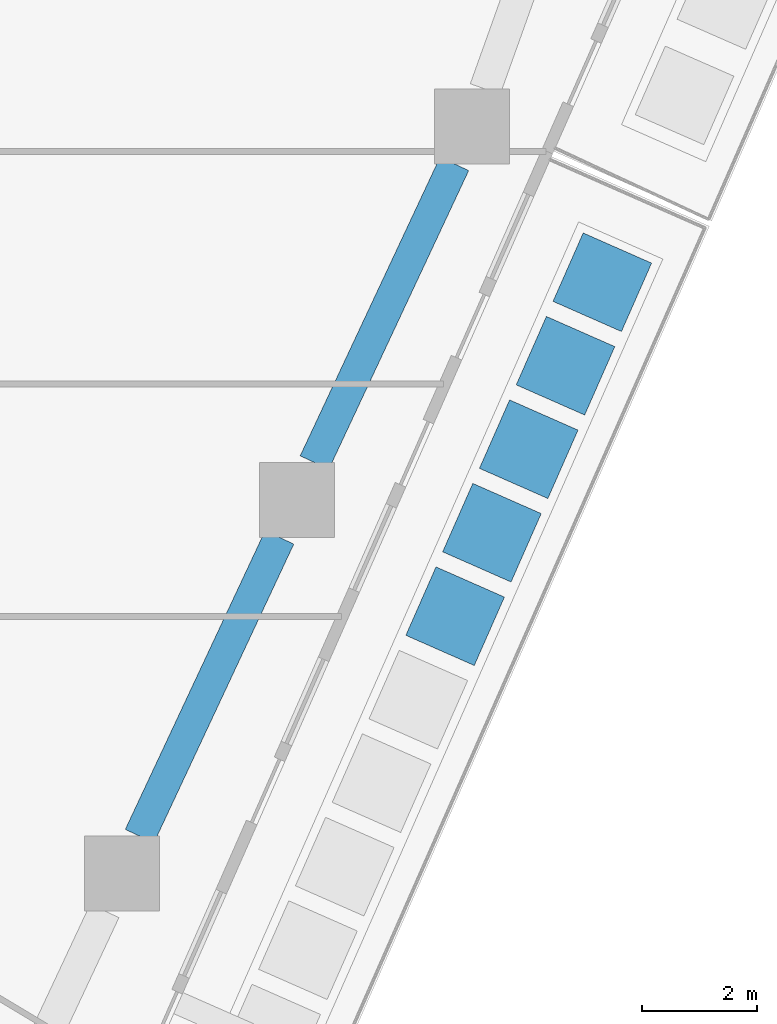
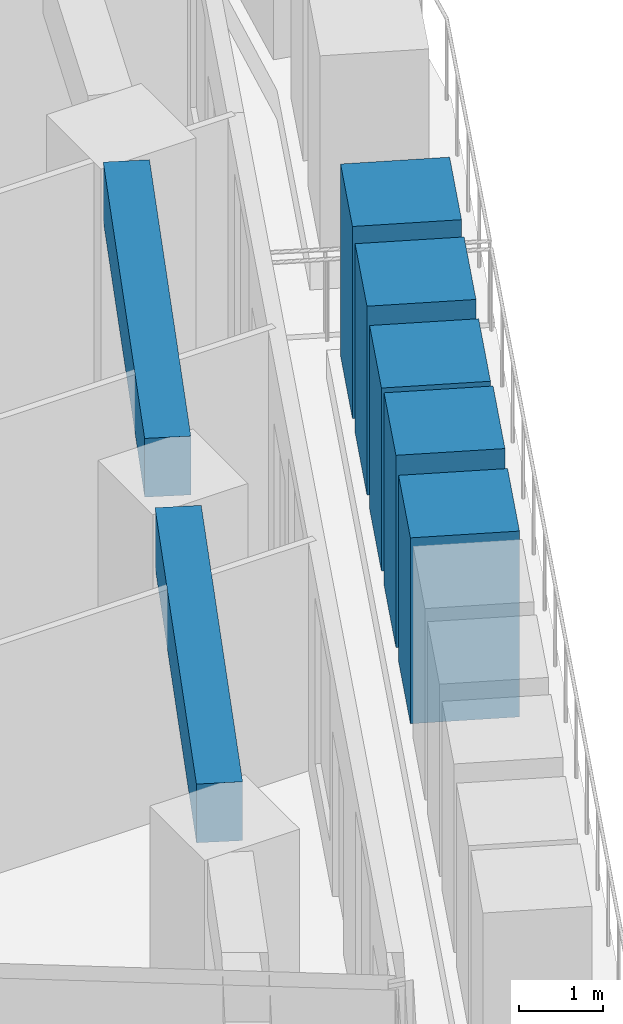
# One storey, part 5 of 24: 5 members, 2 beams.
"""IFC4 building model written with IfcOpenShell, lengths in metres."""

from ifc_helpers import new_model, si_unit, direction, frame, origin, origin_2d, place, context, subcontext, project, spatial, rectangle, extrude, material, material_profile, profile_set, type_object, element, save


model = new_model("IFC4")

# Units and contexts
model_context = context("Model", 3, precision=1e-05, world=origin(), true_north=direction((0.0, 1.0)))
body_context = subcontext(model_context, "Body", "Model", "MODEL_VIEW")
ifc_project = project(units=[si_unit("LENGTHUNIT", "METRE"), si_unit("AREAUNIT", "SQUARE_METRE"), si_unit("VOLUMEUNIT", "CUBIC_METRE"), si_unit("PLANEANGLEUNIT", "RADIAN"), si_unit("MASSUNIT", "GRAM", prefix="KILO")], contexts=[model_context])

# Site, building, storey
site_placement = place(None, origin())
site = spatial("IfcSite", under=ifc_project, at=site_placement, CompositionType="ELEMENT")
building_placement = place(site_placement, origin())
building = spatial("IfcBuilding", under=site, at=building_placement, Name="Dongbaek Canopy Tower", CompositionType="ELEMENT")
storey_placement = place(building_placement, frame((0.0, 0.0, 106.300048828125)))
storey = spatial("IfcBuildingStorey", under=building, at=storey_placement, Name="L22", CompositionType="ELEMENT", Elevation=106.300048828125)

# Beams
ifc_material_1 = material(Name="Concrete C80", Category="concrete")
ifc_material_profile_1 = material_profile(ifc_material_1, rectangle(XDim=0.550048828125, YDim=0.85009765625, at=origin_2d()), Name="RC EDGE BEAM 550x850 C80")
ifc_profile_set_1 = profile_set([ifc_material_profile_1], Name="Concrete C80")
beam_type = type_object("IfcBeamType", Name="RC EDGE BEAM 550x850 C80", PredefinedType="BEAM", material=ifc_profile_set_1)
beam_1_placement = place(storey_placement, frame((27.131591796875, -0.81494140625, 2.875), z_axis=(-0.424053070164, -0.90563734115, 0.0), x_axis=(0.90563734115, -0.424053070164, 0.0)))
element("IfcBeam", 1, at=beam_1_placement, inside=storey, type_object=beam_type, Name="EDGEBEAM:L22:22", PredefinedType="BEAM", context=body_context, shape_type="SweptSolid", body=[
    extrude(rectangle(XDim=0.550048828125, YDim=0.85009765625, at=origin_2d()), origin(), (0.0, 0.0, 1.0), 5.733154296875),
])
beam_2_placement = place(storey_placement, frame((24.091796875, -7.306884765625, 2.875), z_axis=(-0.424022586017, -0.905651614335, 0.0), x_axis=(0.905651614335, -0.424022586017, 0.0)))
element("IfcBeam", 2, at=beam_2_placement, inside=storey, type_object=beam_type, Name="EDGEBEAM:L22:23", PredefinedType="BEAM", context=body_context, shape_type="SweptSolid", body=[
    extrude(rectangle(XDim=0.550048828125, YDim=0.85009765625, at=origin_2d()), origin(), (0.0, 0.0, 1.0), 5.734130859375),
])

# Members
ifc_material_2 = material(Name="Concrete C40/50 planter mass with planting", Category="concrete")
ifc_material_profile_2 = material_profile(ifc_material_2, rectangle(XDim=1.300048828125, YDim=1.300048828125, at=origin_2d()), Name="Terrace PLANTER shrub mass 1300 x 1300")
ifc_profile_set_2 = profile_set([ifc_material_profile_2], Name="Concrete C40/50 planter mass with planting")
member_type = type_object("IfcMemberType", Name="Terrace PLANTER shrub mass 1300 x 1300", PredefinedType="USERDEFINED", material=ifc_profile_set_2)
member_1_placement = place(storey_placement, frame((27.144775390625, -8.67724609375, 0.419921875), z_axis=(0.0, 0.0, 1.0), x_axis=(0.915072764797, -0.403288773867, 0.0)))
element("IfcMember", 3, at=member_1_placement, inside=storey, type_object=member_type, Name="Planter shrubs L22 5.6", ObjectType="PLANTER", PredefinedType="USERDEFINED", context=body_context, shape_type="SweptSolid", body=[
    extrude(rectangle(XDim=1.300048828125, YDim=1.300048828125, at=origin_2d()), origin(), (0.0, 0.0, 1.0), 2.68994140625),
])
member_2_placement = place(storey_placement, frame((27.7841796875, -7.22607421875, 0.419921875), z_axis=(0.0, 0.0, 1.0), x_axis=(0.915072764797, -0.403288773867, 0.0)))
element("IfcMember", 4, at=member_2_placement, inside=storey, type_object=member_type, Name="Planter shrubs L22 5.7", ObjectType="PLANTER", PredefinedType="USERDEFINED", context=body_context, shape_type="SweptSolid", body=[
    extrude(rectangle(XDim=1.300048828125, YDim=1.300048828125, at=origin_2d()), origin(), (0.0, 0.0, 1.0), 2.780029296875),
])
member_3_placement = place(storey_placement, frame((28.423828125, -5.775146484375, 0.419921875), z_axis=(0.0, 0.0, 1.0), x_axis=(0.915072764797, -0.403288773867, 0.0)))
element("IfcMember", 5, at=member_3_placement, inside=storey, type_object=member_type, Name="Planter shrubs L22 5.8", ObjectType="PLANTER", PredefinedType="USERDEFINED", context=body_context, shape_type="SweptSolid", body=[
    extrude(rectangle(XDim=1.300048828125, YDim=1.300048828125, at=origin_2d()), origin(), (0.0, 0.0, 1.0), 2.650146484375),
])
member_4_placement = place(storey_placement, frame((29.063232421875, -4.323974609375, 0.419921875), z_axis=(0.0, 0.0, 1.0), x_axis=(0.915072764797, -0.403288773867, 0.0)))
element("IfcMember", 6, at=member_4_placement, inside=storey, type_object=member_type, Name="Planter shrubs L22 5.9", ObjectType="PLANTER", PredefinedType="USERDEFINED", context=body_context, shape_type="SweptSolid", body=[
    extrude(rectangle(XDim=1.300048828125, YDim=1.300048828125, at=origin_2d()), origin(), (0.0, 0.0, 1.0), 2.72998046875),
])
member_5_placement = place(storey_placement, frame((29.702880859375, -2.872802734375, 0.419921875), z_axis=(0.0, 0.0, 1.0), x_axis=(0.915072764797, -0.403288773867, 0.0)))
element("IfcMember", 7, at=member_5_placement, inside=storey, type_object=member_type, Name="Planter shrubs L22 5.10", ObjectType="PLANTER", PredefinedType="USERDEFINED", context=body_context, shape_type="SweptSolid", body=[
    extrude(rectangle(XDim=1.300048828125, YDim=1.300048828125, at=origin_2d()), origin(), (0.0, 0.0, 1.0), 2.780029296875),
])

save(model, "model.ifc")
